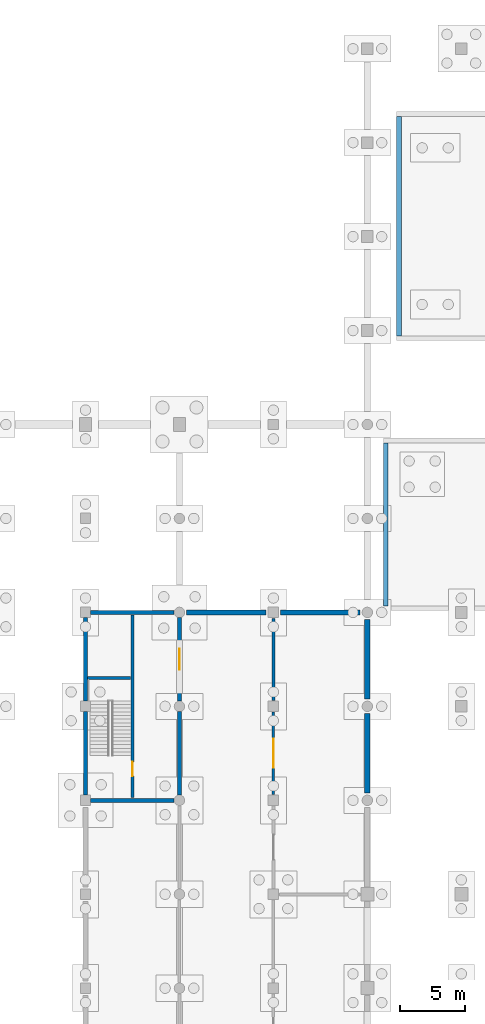
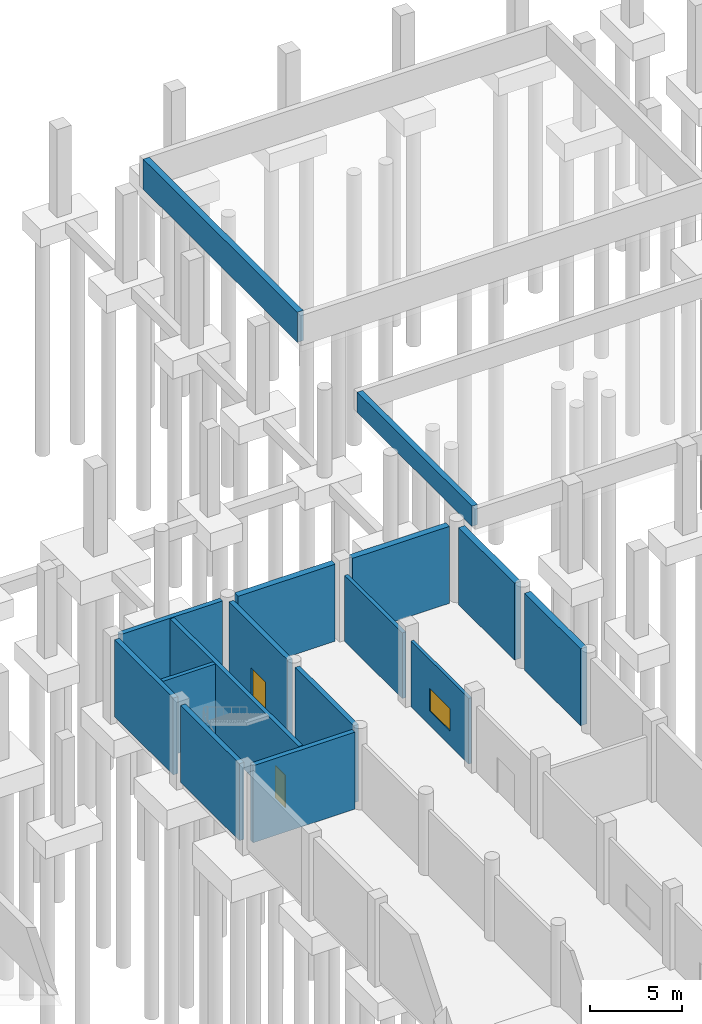
# One storey, part 23 of 35: 16 walls, 2 doors, 1 window, 3 openings.
"""IFC4 building model written with IfcOpenShell, lengths in metres."""

from ifc_helpers import new_model, si_unit, direction, frame, frame_2d, origin, place, context, subcontext, project, spatial, rectangle, extrude, material, layer, layer_set, type_object, element, fill, save


model = new_model("IFC4")

# Units and contexts
model_context = context("Model", 3, precision=1e-05, world=origin(), true_north=direction((0.0, 1.0)))
body_context = subcontext(model_context, "Body", "Model", "MODEL_VIEW")
ifc_project = project(units=[si_unit("LENGTHUNIT", "METRE"), si_unit("AREAUNIT", "SQUARE_METRE"), si_unit("VOLUMEUNIT", "CUBIC_METRE"), si_unit("PLANEANGLEUNIT", "RADIAN"), si_unit("MASSUNIT", "GRAM", prefix="KILO")], contexts=[model_context])

# Site, building, storey
site_placement = place(None, origin())
site = spatial("IfcSite", under=ifc_project, at=site_placement, CompositionType="ELEMENT")
building_placement = place(site_placement, origin())
building = spatial("IfcBuilding", under=site, at=building_placement, Name="Vesperath Aquatics Centre", CompositionType="ELEMENT")
storey_placement = place(building_placement, frame((0.0, 0.0, -5.39990234375)))
storey = spatial("IfcBuildingStorey", under=building, at=storey_placement, Name="B1", CompositionType="ELEMENT", Elevation=-5.39990234375)

# Wall
ifc_material_1 = material(Name="Autoclaved aerated masonry blockwork", Category="masonry")
ifc_layer_1 = layer(ifc_material_1, 0.22998046875)
ifc_layer_set_1 = layer_set([ifc_layer_1], Name="Autoclaved aerated masonry blockwork")
wall_type_1 = type_object("IfcWallType", Name="WL-FW01", PredefinedType="SOLIDWALL", material=ifc_layer_set_1)
wall_1_placement = place(storey_placement, frame((108.0, 65.25, 0.0), z_axis=(0.0, 0.0, 1.0), x_axis=(0.0, 1.0, 0.0)))
element("IfcWall", 1, at=wall_1_placement, inside=storey, type_object=wall_type_1, Name="Interior Partition FW01 B1_GEN-W3", PredefinedType="SOLIDWALL", context=body_context, shape_type="SweptSolid", body=[
    extrude(rectangle(XDim=6.300048828125, YDim=0.22998046875, at=frame_2d((3.14990234375, 0.0))), origin(), (0.0, 0.0, 1.0), 4.369873046875),
])

# Wall, opening, window
ifc_material_2 = material(Name="Plant acoustic masonry wall", Category="masonry")
ifc_layer_2 = layer(ifc_material_2, 0.18994140625)
ifc_layer_set_2 = layer_set([ifc_layer_2], Name="Plant acoustic masonry wall")
wall_type_2 = type_object("IfcWallType", Name="WL-FW04", PredefinedType="SOLIDWALL", material=ifc_layer_set_2)
wall_2_placement = place(storey_placement, frame((108.0, 58.050048828125, 0.0), z_axis=(0.0, 0.0, 1.0), x_axis=(0.0, 1.0, 0.0)))
wall_2 = element("IfcWall", 2, at=wall_2_placement, inside=storey, type_object=wall_type_2, Name="Interior Partition FW04 B1_GEN-W2", PredefinedType="SOLIDWALL", context=body_context, shape_type="SweptSolid", body=[
    extrude(rectangle(XDim=6.300048828125, YDim=0.18994140625, at=frame_2d((3.14990234375, 0.0))), origin(), (0.0, 0.0, 1.0), 4.369873046875),
])
opening_1_placement = place(wall_2_placement, frame((2.050048828125, 0.0, 0.949951171875)))
opening_1 = element("IfcOpeningElement", 3, at=opening_1_placement, cuts=wall_2, Name="Opening VW03", PredefinedType="OPENING", context=body_context, shape_type="SweptSolid", body=[
    extrude(rectangle(XDim=2.199951171875, YDim=1.5, at=frame_2d((1.10009765625, 0.75))), frame((0.0, 0.10986328125, 0.0), z_axis=(0.0, -1.0, 0.0), x_axis=(1.0, 0.0, 0.0)), (0.0, 0.0, 1.0), 0.2197265625),
])
ifc_material_3 = material(Name="Acoustic laminated interior viewing glazing", Category="glass")
window_type = type_object("IfcWindowType", Name="WN-IW03", PartitioningType="SINGLE_PANEL", PredefinedType="WINDOW", material=ifc_material_3)
window_placement = place(opening_1_placement, origin())
window = element("IfcWindow", 4, at=window_placement, inside=storey, type_object=window_type, Name="Interior Viewing Window VW03 B1_GEN", OverallHeight=1.5, OverallWidth=2.199951171875, PartitioningType="SINGLE_PANEL", PredefinedType="WINDOW", context=body_context, shape_type="SweptSolid", body=[
    extrude(rectangle(XDim=2.199951171875, YDim=1.5, at=frame_2d((1.10009765625, 0.75))), frame((0.0, 0.030029296875, 0.0), z_axis=(0.0, -1.0, 0.0), x_axis=(1.0, 0.0, 0.0)), (0.0, 0.0, 1.0), 0.06005859375),
])
fill(opening_1, window)

# Walls
ifc_material_4 = material(Name="Concrete C40", Category="concrete")
ifc_layer_3 = layer(ifc_material_4, 0.3798828125)
ifc_layer_set_3 = layer_set([ifc_layer_3], Name="Concrete C40")
wall_type_3 = type_object("IfcWallType", Name="WL-PW03", PredefinedType="SOLIDWALL", material=ifc_layer_set_3)
wall_3_placement = place(storey_placement, frame((117.610107421875, 93.199951171875, 3.39990234375), z_axis=(0.0, 0.0, 1.0), x_axis=(0.0, 1.0, 0.0)))
element("IfcWall", 5, at=wall_3_placement, inside=storey, type_object=wall_type_3, Name="Training and Warm-Up Pool Basin Wall PW03-W", PredefinedType="SOLIDWALL", context=body_context, shape_type="SweptSolid", body=[
    extrude(rectangle(XDim=16.800048828125, YDim=0.3798828125, at=frame_2d((8.39990234375, 0.0))), origin(), (0.0, 0.0, 1.0), 2.0),
])
ifc_layer_4 = layer(ifc_material_4, 0.35009765625)
ifc_layer_set_4 = layer_set([ifc_layer_4], Name="Concrete C40")
wall_type_4 = type_object("IfcWallType", Name="WL-PW04", PredefinedType="SOLIDWALL", material=ifc_layer_set_4)
wall_4_placement = place(storey_placement, frame((116.625, 72.5, 4.0498046875), z_axis=(0.0, 0.0, 1.0), x_axis=(0.0, 1.0, 0.0)))
element("IfcWall", 6, at=wall_4_placement, inside=storey, type_object=wall_type_4, Name="Leisure and Teaching Pool Basin Wall PW04-W", PredefinedType="SOLIDWALL", context=body_context, shape_type="SweptSolid", body=[
    extrude(rectangle(XDim=12.5, YDim=0.35009765625, at=frame_2d((6.25, 0.0))), origin(), (0.0, 0.0, 1.0), 1.35009765625),
])
ifc_layer_5 = layer(ifc_material_4, 0.39990234375)
ifc_layer_set_5 = layer_set([ifc_layer_5], Name="Concrete C40")
wall_type_5 = type_object("IfcWallType", Name="WL-RW01", PredefinedType="USERDEFINED", material=ifc_layer_set_5)
for number, where, z_axis, x_axis, name in (
    (7, (101.35009765625, 72.0, 0.0), (0.0, 0.0, 1.0), (1.0, 0.0, 0.0), "Basement Retaining Wall RW01-H041"),
    (8, (108.550048828125, 72.0, 0.0), (0.0, 0.0, 1.0), (1.0, 0.0, 0.0), "Basement Retaining Wall RW01-H042"),
):
    element("IfcWall", number, at=place(storey_placement, frame(where, z_axis=z_axis, x_axis=x_axis)), inside=storey, type_object=wall_type_5, Name=name, ObjectType="RETAININGWALL", PredefinedType="USERDEFINED", context=body_context, shape_type="SweptSolid", body=[
        extrude(rectangle(XDim=6.099853515625, YDim=0.39990234375, at=frame_2d((3.0498046875, 0.0))), origin(), (0.0, 0.0, 1.0), 5.119873046875),
    ])
wall_5_placement = place(storey_placement, frame((115.199951171875, 58.14990234375, 0.0), z_axis=(0.0, 0.0, 1.0), x_axis=(0.0, 1.0, 0.0)))
element("IfcWall", 9, at=wall_5_placement, inside=storey, type_object=wall_type_5, Name="Basement Retaining Wall RW01-V070", ObjectType="RETAININGWALL", PredefinedType="USERDEFINED", context=body_context, shape_type="SweptSolid", body=[
    extrude(rectangle(XDim=6.10009765625, YDim=0.39990234375, at=frame_2d((3.050048828125, 0.0))), origin(), (0.0, 0.0, 1.0), 5.119873046875),
])
wall_6_placement = place(storey_placement, frame((115.199951171875, 65.35009765625, 0.0), z_axis=(0.0, 0.0, 1.0), x_axis=(0.0, 1.0, 0.0)))
element("IfcWall", 10, at=wall_6_placement, inside=storey, type_object=wall_type_5, Name="Basement Retaining Wall RW01-V071", ObjectType="RETAININGWALL", PredefinedType="USERDEFINED", context=body_context, shape_type="SweptSolid", body=[
    extrude(rectangle(XDim=6.099853515625, YDim=0.39990234375, at=frame_2d((3.0498046875, 0.0))), origin(), (0.0, 0.0, 1.0), 5.119873046875),
])
ifc_layer_6 = layer(ifc_material_4, 0.300048828125)
ifc_layer_set_6 = layer_set([ifc_layer_6], Name="Concrete C40")
wall_type_6 = type_object("IfcWallType", Name="WL-SW01", PredefinedType="SHEAR", material=ifc_layer_set_6)
for number, where, z_axis, x_axis, name in (
    (11, (94.0, 57.60009765625, 0.0), (0.0, 0.0, 1.0), (1.0, 0.0, 0.0), "Core C8 South Shear Wall SW01 B1"),
    (12, (94.0, 72.0, 0.0), (0.0, 0.0, 1.0), (1.0, 0.0, 0.0), "Core C8 North Shear Wall SW01 B1"),
    (13, (93.60009765625, 58.0, 0.0), (0.0, 0.0, 1.0), (0.0, 1.0, 0.0), "Core C8 West-1 Shear Wall SW01 B1"),
):
    element("IfcWall", number, at=place(storey_placement, frame(where, z_axis=z_axis, x_axis=x_axis)), inside=storey, type_object=wall_type_6, Name=name, PredefinedType="SHEAR", context=body_context, shape_type="SweptSolid", body=[
        extrude(rectangle(XDim=6.39990234375, YDim=0.300048828125, at=frame_2d((3.199951171875, 0.0))), origin(), (0.0, 0.0, 1.0), 5.119873046875),
    ])
wall_7_placement = place(storey_placement, frame((93.60009765625, 65.199951171875, 0.0), z_axis=(0.0, 0.0, 1.0), x_axis=(0.0, 1.0, 0.0)))
element("IfcWall", 14, at=wall_7_placement, inside=storey, type_object=wall_type_6, Name="Core C8 West-2 Shear Wall SW01 B1", PredefinedType="SHEAR", context=body_context, shape_type="SweptSolid", body=[
    extrude(rectangle(XDim=6.400146484375, YDim=0.300048828125, at=frame_2d((3.2001953125, 0.0))), origin(), (0.0, 0.0, 1.0), 5.119873046875),
])
wall_8_placement = place(storey_placement, frame((100.800048828125, 58.0, 0.0), z_axis=(0.0, 0.0, 1.0), x_axis=(0.0, 1.0, 0.0)))
element("IfcWall", 15, at=wall_8_placement, inside=storey, type_object=wall_type_6, Name="Core C8 East-1 Shear Wall SW01 B1", PredefinedType="SHEAR", context=body_context, shape_type="SweptSolid", body=[
    extrude(rectangle(XDim=6.39990234375, YDim=0.300048828125, at=frame_2d((3.199951171875, 0.0))), origin(), (0.0, 0.0, 1.0), 5.119873046875),
])

# Wall, opening, door
wall_9_placement = place(storey_placement, frame((100.800048828125, 65.199951171875, 0.0), z_axis=(0.0, 0.0, 1.0), x_axis=(0.0, 1.0, 0.0)))
wall_9 = element("IfcWall", 16, at=wall_9_placement, inside=storey, type_object=wall_type_6, Name="Core C8 East-2 Shear Wall SW01 B1", PredefinedType="SHEAR", context=body_context, shape_type="SweptSolid", body=[
    extrude(rectangle(XDim=6.400146484375, YDim=0.300048828125, at=frame_2d((3.2001953125, 0.0))), origin(), (0.0, 0.0, 1.0), 5.119873046875),
])
opening_2_placement = place(wall_9_placement, frame((2.39990234375, 0.0, 0.0)))
opening_2 = element("IfcOpeningElement", 17, at=opening_2_placement, cuts=wall_9, Name="Opening D02", PredefinedType="OPENING", context=body_context, shape_type="SweptSolid", body=[
    extrude(rectangle(XDim=1.60009765625, YDim=2.199951171875, at=frame_2d((0.800048828125, 1.10009765625))), frame((0.0, 0.1650390625, 0.0), z_axis=(0.0, -1.0, 0.0), x_axis=(1.0, 0.0, 0.0)), (0.0, 0.0, 1.0), 0.329833984375),
])
ifc_material_5 = material(Name="Glazed fire-rated lobby double door", Category="steel")
door_type_1 = type_object("IfcDoorType", Name="DR-FD02", OperationType="DOUBLE_SWING_LEFT", PredefinedType="DOOR", material=ifc_material_5)
door_1_placement = place(opening_2_placement, frame((1.60009765625, 0.0, 0.0), z_axis=(0.0, 0.0, 1.0), x_axis=(-1.0, 0.0, 0.0)))
door_1 = element("IfcDoor", 18, at=door_1_placement, inside=storey, type_object=door_type_1, Name="Core C8 Lobby Fire Door D02 B1", OperationType="DOUBLE_SWING_LEFT", OverallHeight=2.199951171875, OverallWidth=1.60009765625, PredefinedType="DOOR", context=body_context, shape_type="SweptSolid", body=[
    extrude(rectangle(XDim=1.60009765625, YDim=2.199951171875, at=frame_2d((0.800048828125, 1.10009765625))), frame((0.0, 0.02490234375, 0.0), z_axis=(0.0, -1.0, 0.0), x_axis=(1.0, 0.0, 0.0)), (0.0, 0.0, 1.0), 0.050048828125),
])
fill(opening_2, door_1)

ifc_layer_7 = layer(ifc_material_4, 0.260009765625)
ifc_layer_set_7 = layer_set([ifc_layer_7], Name="Concrete C40")
wall_type_7 = type_object("IfcWallType", Name="WL-SW03", PredefinedType="SHEAR", material=ifc_layer_set_7)
wall_10_placement = place(storey_placement, frame((97.199951171875, 57.800048828125, 0.0), z_axis=(0.0, 0.0, 1.0), x_axis=(0.0, 1.0, 0.0)))
wall_10 = element("IfcWall", 19, at=wall_10_placement, inside=storey, type_object=wall_type_7, Name="Core C8 Spine Shear Wall SW03 B1", PredefinedType="SHEAR", context=body_context, shape_type="SweptSolid", body=[
    extrude(rectangle(XDim=14.0, YDim=0.260009765625, at=frame_2d((7.0, 0.0))), origin(), (0.0, 0.0, 1.0), 5.119873046875),
])
opening_3_placement = place(wall_10_placement, frame((1.64990234375, 0.0, 0.0)))
opening_3 = element("IfcOpeningElement", 20, at=opening_3_placement, cuts=wall_10, Name="Opening D01", PredefinedType="OPENING", context=body_context, shape_type="SweptSolid", body=[
    extrude(rectangle(XDim=1.10009765625, YDim=2.14990234375, at=frame_2d((0.550048828125, 1.074951171875))), frame((0.0, 0.14501953125, 0.0), z_axis=(0.0, -1.0, 0.0), x_axis=(1.0, 0.0, 0.0)), (0.0, 0.0, 1.0), 0.289794921875),
])
ifc_material_6 = material(Name="Steel-faced acoustic fire door", Category="steel")
door_type_2 = type_object("IfcDoorType", Name="DR-FD01", OperationType="NOTDEFINED", PredefinedType="DOOR", material=ifc_material_6)
door_2_placement = place(opening_3_placement, origin())
door_2 = element("IfcDoor", 21, at=door_2_placement, inside=storey, type_object=door_type_2, Name="Stair ST8 Fire Door D01 B1", OperationType="SINGLE_SWING_LEFT", OverallHeight=2.14990234375, OverallWidth=1.10009765625, PredefinedType="DOOR", context=body_context, shape_type="SweptSolid", body=[
    extrude(rectangle(XDim=1.10009765625, YDim=2.14990234375, at=frame_2d((0.550048828125, 1.074951171875))), frame((0.0, 0.02490234375, 0.0), z_axis=(0.0, -1.0, 0.0), x_axis=(1.0, 0.0, 0.0)), (0.0, 0.0, 1.0), 0.050048828125),
])
fill(opening_3, door_2)

# Wall
ifc_layer_8 = layer(ifc_material_4, 0.25)
ifc_layer_set_8 = layer_set([ifc_layer_8], Name="Concrete C40")
wall_type_8 = type_object("IfcWallType", Name="WL-SW04", PredefinedType="SHEAR", material=ifc_layer_set_8)
wall_11_placement = place(storey_placement, frame((93.760009765625, 66.97998046875, 0.0), z_axis=(0.0, 0.0, 1.0), x_axis=(1.0, 0.0, 0.0)))
element("IfcWall", 22, at=wall_11_placement, inside=storey, type_object=wall_type_8, Name="Core C8 Lift Shaft Wall SW04 B1", PredefinedType="SHEAR", context=body_context, shape_type="SweptSolid", body=[
    extrude(rectangle(XDim=3.300048828125, YDim=0.25, at=frame_2d((1.64990234375, 0.0))), origin(), (0.0, 0.0, 1.0), 5.119873046875),
])

save(model, "model.ifc")
